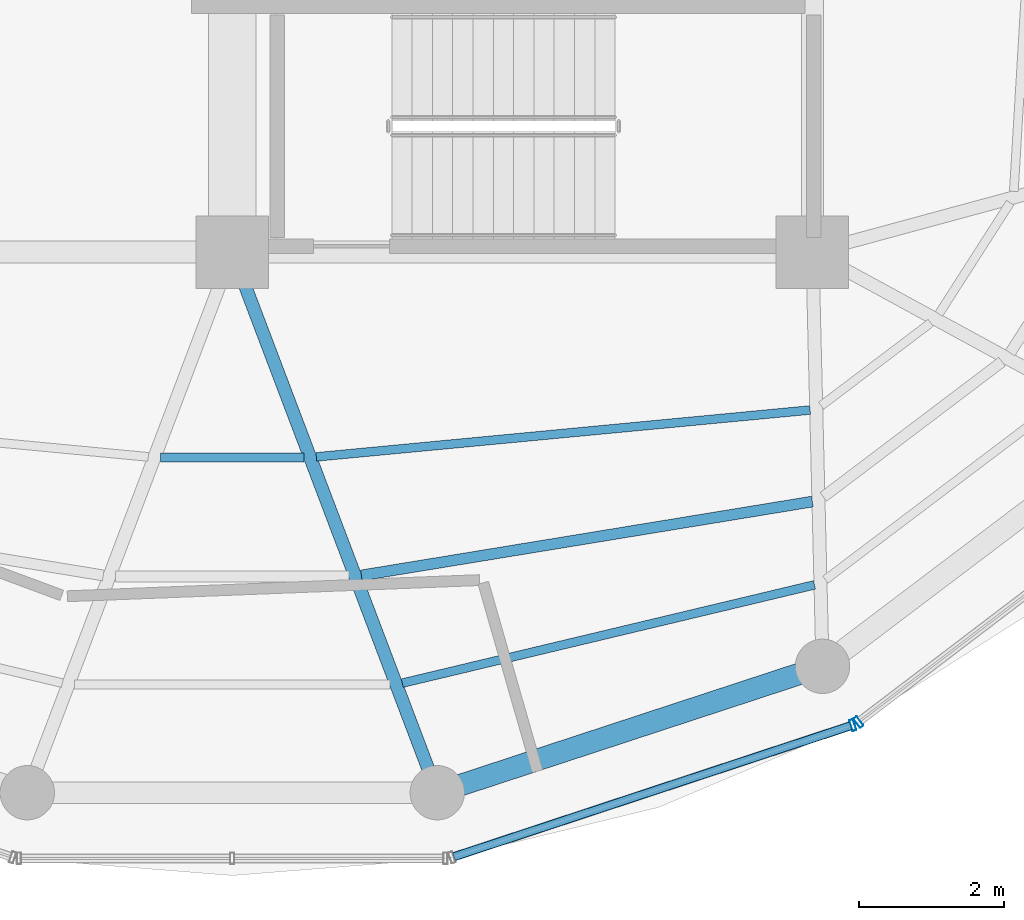
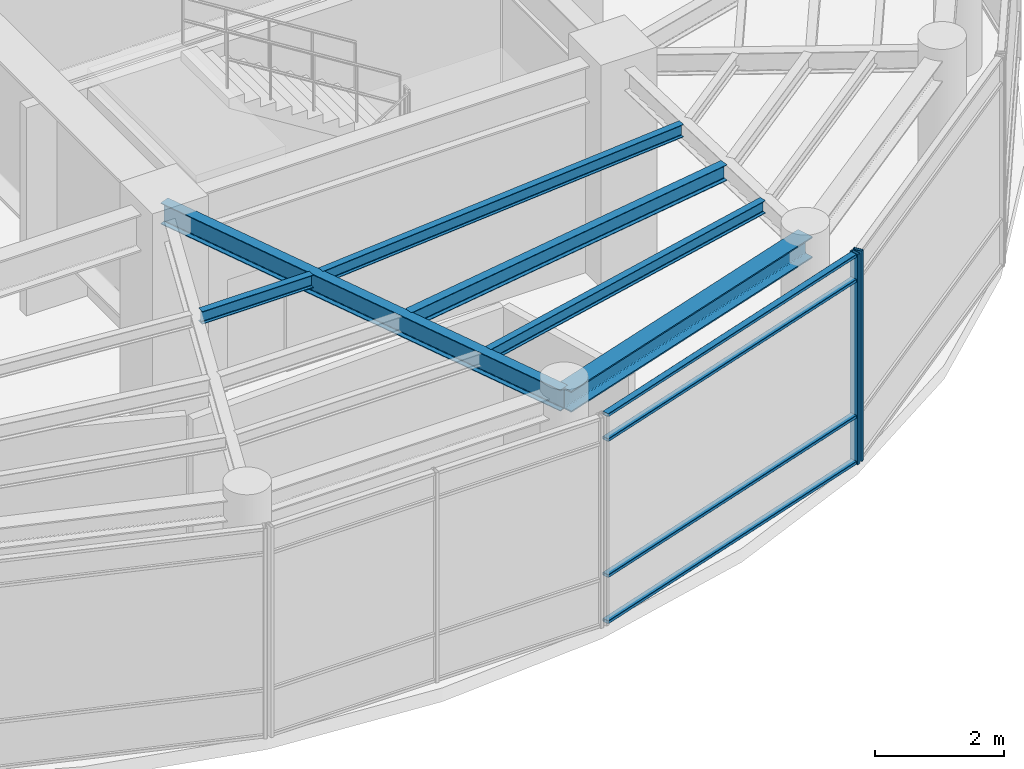
# One storey, part 6 of 19: 6 beams, 6 members, 2 elements without a shape of their own.
"""IFC4 building model written with IfcOpenShell, lengths in metres."""

from ifc_helpers import new_model, si_unit, direction, frame, origin, origin_2d, place, context, subcontext, project, spatial, hollow_rectangle, i_section, extrude, material, layer, layer_set, material_profile, profile_set, type_object, element, aggregate, save


model = new_model("IFC4")

# Units and contexts
model_context = context("Model", 3, precision=1e-05, world=origin(), true_north=direction((0.0, 1.0)))
body_context = subcontext(model_context, "Body", "Model", "MODEL_VIEW")
ifc_project = project(units=[si_unit("LENGTHUNIT", "METRE"), si_unit("AREAUNIT", "SQUARE_METRE"), si_unit("VOLUMEUNIT", "CUBIC_METRE"), si_unit("PLANEANGLEUNIT", "RADIAN"), si_unit("MASSUNIT", "GRAM", prefix="KILO")], contexts=[model_context])

# Site, building, storey
site_placement = place(None, origin())
site = spatial("IfcSite", under=ifc_project, at=site_placement, CompositionType="ELEMENT")
building_placement = place(site_placement, origin())
building = spatial("IfcBuilding", under=site, at=building_placement, Name="Kelanora Arch Commons", CompositionType="ELEMENT")
storey_placement = place(building_placement, frame((0.0, 0.0, 306.89990234375)))
storey = spatial("IfcBuildingStorey", under=building, at=storey_placement, Name="L78", CompositionType="ELEMENT", Elevation=306.89990234375)

# Beams
ifc_material_1 = material(Name="Steel S355", Category="steel")
ifc_material_profile_1 = material_profile(ifc_material_1, i_section(OverallWidth=0.14990234375, OverallDepth=0.300048828125, WebThickness=0.007080078125, FlangeThickness=0.0107421875, FilletRadius=0.014892578125, at=origin_2d()), Name="IPE300")
ifc_profile_set_1 = profile_set([ifc_material_profile_1], Name="Steel S355")
beam_type_1 = type_object("IfcBeamType", Name="BM-JST-01", PredefinedType="JOIST", material=ifc_profile_set_1)
beam_1_placement = place(storey_placement, frame((75.780029296875, 46.53955078125, 3.830078125), z_axis=(0.986849654094, 0.16164083709, 0.0), x_axis=(-0.16164083709, 0.986849654094, 0.0)))
element("IfcBeam", 1, at=beam_1_placement, inside=storey, type_object=beam_type_1, Name="Secondary Chord Joist BJB-28 L78", PredefinedType="JOIST", context=body_context, shape_type="SweptSolid", body=[
    extrude(i_section(OverallWidth=0.14990234375, OverallDepth=0.300048828125, WebThickness=0.007080078125, FlangeThickness=0.0107421875, FilletRadius=0.014892578125, at=origin_2d()), origin(), (0.0, 0.0, 1.0), 6.302734375),
])
ifc_material_profile_2 = material_profile(ifc_material_1, i_section(OverallWidth=0.1201171875, OverallDepth=0.239990234375, WebThickness=0.006103515625, FlangeThickness=0.009765625, FilletRadius=0.014892578125, at=origin_2d()), Name="IPE240")
ifc_profile_set_2 = profile_set([ifc_material_profile_2], Name="Steel S355")
beam_type_2 = type_object("IfcBeamType", Name="BM-JST-02", PredefinedType="JOIST", material=ifc_profile_set_2)
beam_2_placement = place(storey_placement, frame((73.0107421875, 48.166259765625, 3.860107421875), z_axis=(1.0, 0.0, 0.0), x_axis=(0.0, 1.0, 0.0)))
element("IfcBeam", 2, at=beam_2_placement, inside=storey, type_object=beam_type_2, Name="Secondary Chord Joist BJA-26 L78", PredefinedType="JOIST", context=body_context, shape_type="SweptSolid", body=[
    extrude(i_section(OverallWidth=0.1201171875, OverallDepth=0.239990234375, WebThickness=0.006103515625, FlangeThickness=0.009765625, FilletRadius=0.014892578125, at=origin_2d()), origin(), (0.0, 0.0, 1.0), 1.978515625),
])
beam_3_placement = place(storey_placement, frame((75.158935546875, 48.17431640625, 3.860107421875), z_axis=(0.995523661296, 0.094512643594, 0.0), x_axis=(-0.094512643594, 0.995523661296, 0.0)))
element("IfcBeam", 3, at=beam_3_placement, inside=storey, type_object=beam_type_2, Name="Secondary Chord Joist BJA-28 L78", PredefinedType="JOIST", context=body_context, shape_type="SweptSolid", body=[
    extrude(i_section(OverallWidth=0.1201171875, OverallDepth=0.239990234375, WebThickness=0.006103515625, FlangeThickness=0.009765625, FilletRadius=0.014892578125, at=origin_2d()), origin(), (0.0, 0.0, 1.0), 6.840087890625),
])
beam_4_placement = place(storey_placement, frame((76.34423828125, 45.05419921875, 3.860107421875), z_axis=(0.972733556605, 0.231925479098, 0.0), x_axis=(-0.231925479098, 0.972733556605, 0.0)))
element("IfcBeam", 4, at=beam_4_placement, inside=storey, type_object=beam_type_2, Name="Secondary Chord Joist BJC-28 L78", PredefinedType="JOIST", context=body_context, shape_type="SweptSolid", body=[
    extrude(i_section(OverallWidth=0.1201171875, OverallDepth=0.239990234375, WebThickness=0.006103515625, FlangeThickness=0.009765625, FilletRadius=0.014892578125, at=origin_2d()), origin(), (0.0, 0.0, 1.0), 5.844482421875),
])
ifc_material_profile_3 = material_profile(ifc_material_1, i_section(OverallWidth=0.179931640625, OverallDepth=0.39990234375, WebThickness=0.008544921875, FlangeThickness=0.013427734375, FilletRadius=0.02099609375, at=origin_2d()), Name="IPE400")
ifc_profile_set_3 = profile_set([ifc_material_profile_3], Name="Steel S355")
beam_type_3 = type_object("IfcBeamType", Name="BM-RAD-Z5", PredefinedType="BEAM", material=ifc_profile_set_3)
beam_5_placement = place(storey_placement, frame((74.0, 51.0, 3.780029296875), z_axis=(0.354476114465, -0.93506506954, 0.0), x_axis=(0.93506506954, 0.354476114465, 0.0)))
element("IfcBeam", 5, at=beam_5_placement, inside=storey, type_object=beam_type_3, Name="Radial Floor Girder BR-28 L78", PredefinedType="BEAM", context=body_context, shape_type="SweptSolid", body=[
    extrude(i_section(OverallWidth=0.179931640625, OverallDepth=0.39990234375, WebThickness=0.008544921875, FlangeThickness=0.013427734375, FilletRadius=0.02099609375, at=origin_2d()), origin(), (0.0, 0.0, 1.0), 7.974853515625),
])
ifc_material_profile_4 = material_profile(ifc_material_1, i_section(OverallWidth=0.300048828125, OverallDepth=0.39990234375, WebThickness=0.013427734375, FlangeThickness=0.02392578125, FilletRadius=0.027099609375, at=origin_2d()), Name="HEB400")
ifc_profile_set_4 = profile_set([ifc_material_profile_4], Name="Steel S355")
beam_type_4 = type_object("IfcBeamType", Name="BM-SPN-Z4", PredefinedType="SPANDREL", material=ifc_profile_set_4)
beam_6_placement = place(storey_placement, frame((76.826904296875, 43.54296875, 3.780029296875), z_axis=(0.950140083071, 0.311823383572, 0.0), x_axis=(-0.311823383572, 0.950140083071, 0.0)))
element("IfcBeam", 6, at=beam_6_placement, inside=storey, type_object=beam_type_4, Name="Perimeter Spandrel Beam BS-28 L78", PredefinedType="SPANDREL", context=body_context, shape_type="SweptSolid", body=[
    extrude(i_section(OverallWidth=0.300048828125, OverallDepth=0.39990234375, WebThickness=0.013427734375, FlangeThickness=0.02392578125, FilletRadius=0.027099609375, at=origin_2d()), origin(), (0.0, 0.0, 1.0), 5.591796875),
])

# Curtain wall, member
ifc_material_2 = material(Name="Terracotta ceramic-fritted low-E glass and aluminium", Category="masonry")
ifc_layer = layer(ifc_material_2, 0.14990234375)
ifc_layer_set = layer_set([ifc_layer], Name="Terracotta ceramic-fritted low-E glass and aluminium")
curtain_wall_type = type_object("IfcCurtainWallType", Name="CW-SYS-06", PredefinedType="NOTDEFINED", material=ifc_layer_set)
curtain_wall_1_placement = place(storey_placement, origin())
curtain_wall_1 = element("IfcCurtainWall", 7, at=curtain_wall_1_placement, inside=storey, type_object=curtain_wall_type, Name="Unitised Curtain Wall L78-B14", PredefinedType="NOTDEFINED")
ifc_material_3 = material(Name="Powder-coated aluminium terracotta", Category="masonry")
ifc_material_profile_5 = material_profile(ifc_material_3, hollow_rectangle(XDim=0.159912109375, YDim=0.06005859375, WallThickness=0.0048828125, InnerFilletRadius=0.0048828125, OuterFilletRadius=0.010009765625, at=origin_2d()), Name="CWM160x60")
ifc_profile_set_5 = profile_set([ifc_material_profile_5], Name="Powder-coated aluminium terracotta")
member_type_1 = type_object("IfcMemberType", Name="CWM-STD", PredefinedType="MULLION", material=ifc_profile_set_5)
member_1_placement = place(storey_placement, frame((82.557373046875, 44.475830078125, 0.0), z_axis=(0.0, 0.0, 1.0), x_axis=(-0.313466845323, 0.949599145368, 0.0)))
member_1 = element("IfcMember", 8, at=member_1_placement, type_object=member_type_1, Name="CW-06 mullion 2", PredefinedType="MULLION", context=body_context, shape_type="SweptSolid", body=[
    extrude(hollow_rectangle(XDim=0.159912109375, YDim=0.06005859375, WallThickness=0.0048828125, InnerFilletRadius=0.0048828125, OuterFilletRadius=0.010009765625, at=origin_2d()), origin(), (0.0, 0.0, 1.0), 3.965087890625),
])

curtain_wall_2_placement = place(storey_placement, origin())
curtain_wall_2 = element("IfcCurtainWall", 9, at=curtain_wall_2_placement, inside=storey, type_object=curtain_wall_type, Name="Unitised Curtain Wall L78-B15", PredefinedType="NOTDEFINED")
member_2_placement = place(storey_placement, frame((82.6357421875, 44.517333984375, 0.0), z_axis=(0.0, 0.0, 1.0), x_axis=(-0.605595960801, 0.795772286688, 0.0)))
member_2 = element("IfcMember", 10, at=member_2_placement, type_object=member_type_1, Name="CW-06 mullion 1", PredefinedType="MULLION", context=body_context, shape_type="SweptSolid", body=[
    extrude(hollow_rectangle(XDim=0.159912109375, YDim=0.06005859375, WallThickness=0.0048828125, InnerFilletRadius=0.0048828125, OuterFilletRadius=0.010009765625, at=origin_2d()), origin(), (0.0, 0.0, 1.0), 3.965087890625),
])
aggregate(curtain_wall_2, [member_2])

# Member
ifc_material_profile_6 = material_profile(ifc_material_3, hollow_rectangle(XDim=0.1201171875, YDim=0.06005859375, WallThickness=0.0048828125, InnerFilletRadius=0.0048828125, OuterFilletRadius=0.010009765625, at=origin_2d()), Name="CWT120x60")
ifc_profile_set_6 = profile_set([ifc_material_profile_6], Name="Powder-coated aluminium terracotta")
member_type_2 = type_object("IfcMemberType", Name="CWT-STD", PredefinedType="USERDEFINED", material=ifc_profile_set_6)
member_3_placement = place(storey_placement, frame((77.057861328125, 42.660400390625, 0.030029296875), z_axis=(0.949590431956, 0.31349324002, 0.0), x_axis=(-0.31349324002, 0.949590431956, 0.0)))
member_3 = element("IfcMember", 11, at=member_3_placement, type_object=member_type_2, Name="CW-06 transom 1.1", ObjectType="TRANSOM", PredefinedType="USERDEFINED", context=body_context, shape_type="SweptSolid", body=[
    extrude(hollow_rectangle(XDim=0.1201171875, YDim=0.06005859375, WallThickness=0.0048828125, InnerFilletRadius=0.0048828125, OuterFilletRadius=0.010009765625, at=origin_2d()), origin(), (0.0, 0.0, 1.0), 5.761474609375),
])

member_4_placement = place(storey_placement, frame((77.057861328125, 42.660400390625, 0.900146484375), z_axis=(0.949590431956, 0.31349324002, 0.0), x_axis=(-0.31349324002, 0.949590431956, 0.0)))
member_4 = element("IfcMember", 12, at=member_4_placement, type_object=member_type_2, Name="CW-06 transom 1.2", ObjectType="TRANSOM", PredefinedType="USERDEFINED", context=body_context, shape_type="SweptSolid", body=[
    extrude(hollow_rectangle(XDim=0.1201171875, YDim=0.06005859375, WallThickness=0.0048828125, InnerFilletRadius=0.0048828125, OuterFilletRadius=0.010009765625, at=origin_2d()), origin(), (0.0, 0.0, 1.0), 5.761474609375),
])

member_5_placement = place(storey_placement, frame((77.057861328125, 42.660400390625, 3.465087890625), z_axis=(0.949590431956, 0.31349324002, 0.0), x_axis=(-0.31349324002, 0.949590431956, 0.0)))
member_5 = element("IfcMember", 13, at=member_5_placement, type_object=member_type_2, Name="CW-06 transom 1.3", ObjectType="TRANSOM", PredefinedType="USERDEFINED", context=body_context, shape_type="SweptSolid", body=[
    extrude(hollow_rectangle(XDim=0.1201171875, YDim=0.06005859375, WallThickness=0.0048828125, InnerFilletRadius=0.0048828125, OuterFilletRadius=0.010009765625, at=origin_2d()), origin(), (0.0, 0.0, 1.0), 5.761474609375),
])

member_6_placement = place(storey_placement, frame((77.057861328125, 42.660400390625, 3.93505859375), z_axis=(0.949590431956, 0.31349324002, 0.0), x_axis=(-0.31349324002, 0.949590431956, 0.0)))
member_6 = element("IfcMember", 14, at=member_6_placement, type_object=member_type_2, Name="CW-06 transom 1.4", ObjectType="TRANSOM", PredefinedType="USERDEFINED", context=body_context, shape_type="SweptSolid", body=[
    extrude(hollow_rectangle(XDim=0.1201171875, YDim=0.06005859375, WallThickness=0.0048828125, InnerFilletRadius=0.0048828125, OuterFilletRadius=0.010009765625, at=origin_2d()), origin(), (0.0, 0.0, 1.0), 5.761474609375),
])

aggregate(curtain_wall_1, [member_1, member_3, member_4, member_5, member_6])

save(model, "model.ifc")
